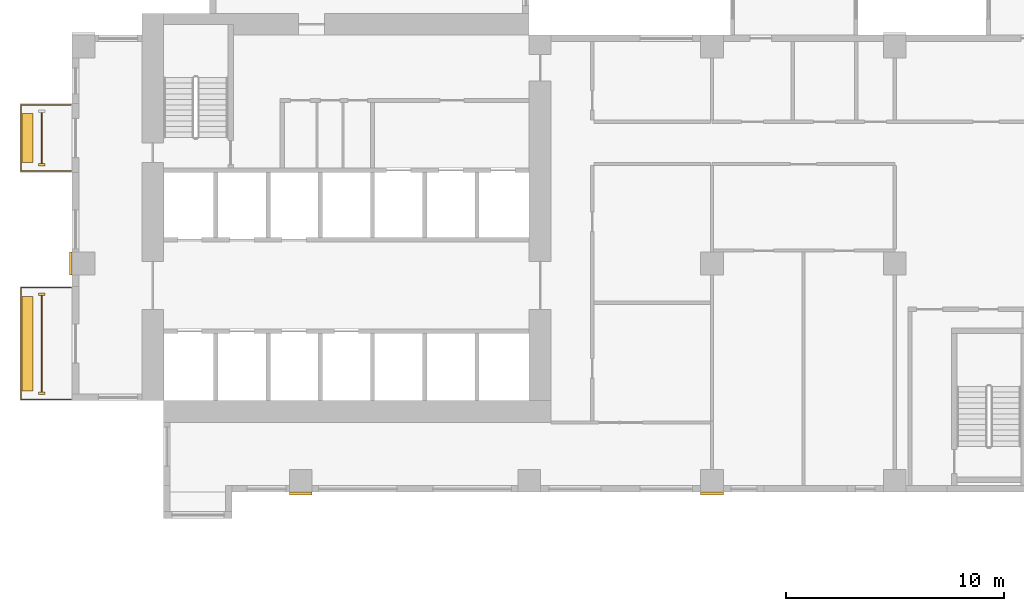
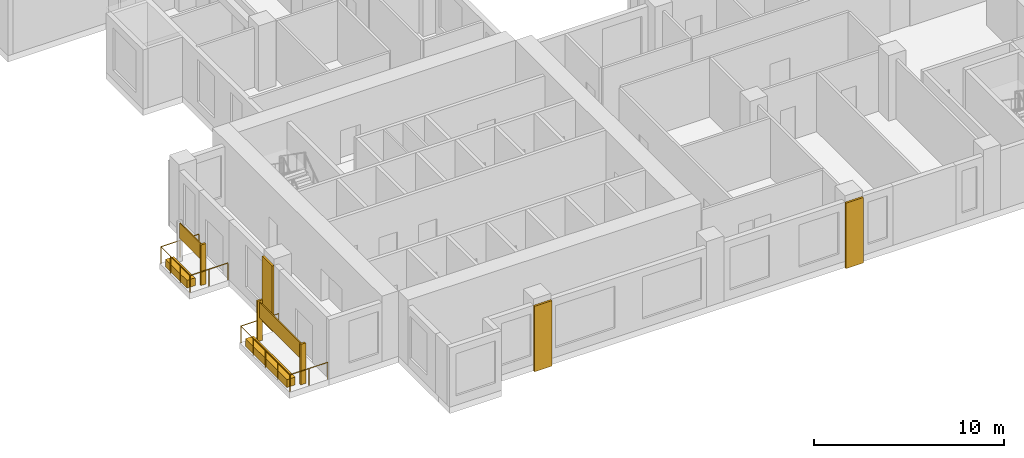
# One storey, part 10 of 14: 10 coverings, 2 railings.
"""IFC4 building model written with IfcOpenShell, lengths in metres."""

from ifc_helpers import new_model, si_unit, direction, frame, origin, origin_2d, place, context, subcontext, project, spatial, rectangle, circle, extrude, source, transform, mapped, material, type_object, element, save


model = new_model("IFC4")

# Units and contexts
model_context = context("Model", 3, precision=1e-05, world=origin(), true_north=direction((0.0, 1.0)))
body_context = subcontext(model_context, "Body", "Model", "MODEL_VIEW")
ifc_project = project(units=[si_unit("LENGTHUNIT", "METRE"), si_unit("AREAUNIT", "SQUARE_METRE"), si_unit("VOLUMEUNIT", "CUBIC_METRE"), si_unit("PLANEANGLEUNIT", "RADIAN"), si_unit("MASSUNIT", "GRAM", prefix="KILO")], contexts=[model_context])

# Site, building, storey
site_placement = place(None, origin())
site = spatial("IfcSite", under=ifc_project, at=site_placement, CompositionType="ELEMENT")
building_placement = place(site_placement, origin())
building = spatial("IfcBuilding", under=site, at=building_placement, Name="Aurelian Terraces", CompositionType="ELEMENT")
storey_placement = place(building_placement, frame((0.0, 0.0, 141.3)))
storey = spatial("IfcBuildingStorey", under=building, at=storey_placement, Name="L31", CompositionType="ELEMENT", Elevation=141.3)

# Coverings
ifc_material_1 = material(Name="Terracotta rainscreen cladding relief", Category="masonry")
covering_type_1 = type_object("IfcCoveringType", Name="FIN-TC", PredefinedType="CLADDING", material=ifc_material_1)
shared_shape_1 = source(origin(), body_context, "Body", "SweptSolid", [
    extrude(rectangle(XDim=0.3, YDim=0.12, at=origin_2d()), origin(), (0.0, 0.0, 1.0), 2.6),
])
for number, where, z_axis, x_axis, name in (
    (1, (-1.4, 15.05, 0.0), (0.0, 0.0, 1.0), (1.0, 0.0, 0.0), "FIN L31 L31-F20-37.2"),
    (2, (-1.4, 9.1, 0.0), (0.0, 0.0, 1.0), (1.0, 0.0, 0.0), "FIN L31 L31-F20-39.1"),
    (3, (-1.4, 4.55, 0.0), (0.0, 0.0, 1.0), (1.0, 0.0, 0.0), "FIN L31 L31-F20-39.2"),
):
    element("IfcCovering", number, at=place(storey_placement, frame(where, z_axis=z_axis, x_axis=x_axis)), inside=storey, type_object=covering_type_1, Name=name, PredefinedType="CLADDING", context=body_context, shape_type="MappedRepresentation", body=[
        mapped(shared_shape_1, transform((0.0, 0.0, 0.0), scale=1.0)),
    ])
ifc_material_2 = material(Name="Terracotta planter with planting soil", Category="masonry")
covering_type_2 = type_object("IfcCoveringType", Name="PLANTER-TROUGH", PredefinedType="USERDEFINED", material=ifc_material_2)
shared_shape_2 = source(origin(), body_context, "Body", "SweptSolid", [
    extrude(rectangle(XDim=0.5, YDim=2.25, at=origin_2d()), origin(), (0.0, 0.0, 1.0), 0.5),
])
covering_1_placement = place(storey_placement, frame((-2.05, 16.275, 0.0), z_axis=(0.0, 0.0, 1.0), x_axis=(1.0, 0.0, 0.0)))
element("IfcCovering", 4, at=covering_1_placement, inside=storey, type_object=covering_type_2, Name="PLANTER L31 L31-F20-37", ObjectType="PLANTER", PredefinedType="USERDEFINED", context=body_context, shape_type="MappedRepresentation", body=[
    mapped(shared_shape_2, transform((0.0, 0.0, 0.0), scale=1.0)),
])
ifc_material_3 = material(Name="Terracotta rainscreen cladding", Category="masonry")
covering_type_3 = type_object("IfcCoveringType", Name="SCREEN-TC", PredefinedType="CLADDING", material=ifc_material_3)
shared_shape_3 = source(origin(), body_context, "Body", "SweptSolid", [
    extrude(rectangle(XDim=0.06, YDim=2.33, at=origin_2d()), origin(), (0.0, 0.0, 1.0), 1.0),
])
covering_2_placement = place(storey_placement, frame((-1.4, 16.275, 1.5), z_axis=(0.0, 0.0, 1.0), x_axis=(1.0, 0.0, 0.0)))
element("IfcCovering", 5, at=covering_2_placement, inside=storey, type_object=covering_type_3, Name="SCREEN L31 L31-F20-37", PredefinedType="CLADDING", context=body_context, shape_type="MappedRepresentation", body=[
    mapped(shared_shape_3, transform((0.0, 0.0, 0.0), scale=1.0)),
])

# Railing
ifc_material_4 = material(Name="Anodised aluminium", Category="aluminium")
railing_type = type_object("IfcRailingType", Name="GUARD-1100", PredefinedType="GUARDRAIL", material=ifc_material_4)
shared_shape_4 = source(origin(), body_context, "Body", "SweptSolid", [
    extrude(circle(Radius=0.024, at=origin_2d()), frame((0.0, 0.0, 1.076), z_axis=(-1.0, 0.0, 0.0), x_axis=(0.0, -1.0, 0.0)), (0.0, 0.0, 1.0), 2.3),
    extrude(circle(Radius=0.024, at=origin_2d()), frame((-2.3, 0.0, 1.076), z_axis=(0.0, -1.0, 0.0), x_axis=(1.0, 0.0, 0.0)), (0.0, 0.0, 1.0), 3.05),
    extrude(circle(Radius=0.024, at=origin_2d()), frame((-2.3, -3.05, 1.076), z_axis=(1.0, 0.0, 0.0), x_axis=(0.0, 1.0, 0.0)), (0.0, 0.0, 1.0), 2.3),
    extrude(circle(Radius=0.021, at=origin_2d()), origin(), (0.0, 0.0, 1.0), 1.052),
    extrude(circle(Radius=0.021, at=origin_2d()), frame((-1.15, 0.0, 0.0)), (0.0, 0.0, 1.0), 1.052),
    extrude(circle(Radius=0.021, at=origin_2d()), frame((-2.3, 0.0, 0.0)), (0.0, 0.0, 1.0), 1.052),
    extrude(circle(Radius=0.021, at=origin_2d()), frame((-2.3, -1.0167, 0.0)), (0.0, 0.0, 1.0), 1.052),
    extrude(circle(Radius=0.021, at=origin_2d()), frame((-2.3, -2.0333, 0.0)), (0.0, 0.0, 1.0), 1.052),
    extrude(circle(Radius=0.021, at=origin_2d()), frame((-2.3, -3.05, 0.0)), (0.0, 0.0, 1.0), 1.052),
    extrude(circle(Radius=0.021, at=origin_2d()), frame((-1.15, -3.05, 0.0)), (0.0, 0.0, 1.0), 1.052),
    extrude(circle(Radius=0.021, at=origin_2d()), frame((0.0, -3.05, 0.0)), (0.0, 0.0, 1.0), 1.052),
])
railing_1_placement = place(storey_placement, frame((-0.05, 17.8, 0.0)))
element("IfcRailing", 6, at=railing_1_placement, inside=storey, type_object=railing_type, Name="Balcony guard L31 F20.37", PredefinedType="GUARDRAIL", context=body_context, shape_type="MappedRepresentation", body=[
    mapped(shared_shape_4, transform((0.0, 0.0, 0.0), scale=1.0)),
])

# Coverings
covering_type_4 = type_object("IfcCoveringType", Name="BAGUETTE-TC", PredefinedType="CLADDING", material=ifc_material_1)
shared_shape_5 = source(origin(), body_context, "Body", "SweptSolid", [
    extrude(rectangle(XDim=1.05, YDim=0.12, at=origin_2d()), origin(), (0.0, 0.0, 1.0), 4.2),
])
for number, where, z_axis, x_axis, name in (
    (7, (10.5, -0.06, -0.4), (0.0, 0.0, 1.0), (1.0, 0.0, 0.0), "BAGUETTE pier L31 1"),
    (8, (29.4, -0.06, -0.4), (0.0, 0.0, 1.0), (1.0, 0.0, 0.0), "BAGUETTE pier L31 2"),
):
    element("IfcCovering", number, at=place(storey_placement, frame(where, z_axis=z_axis, x_axis=x_axis)), inside=storey, type_object=covering_type_4, Name=name, PredefinedType="CLADDING", context=body_context, shape_type="MappedRepresentation", body=[
        mapped(shared_shape_5, transform((0.0, 0.0, 0.0), scale=1.0)),
    ])
shared_shape_6 = source(origin(), body_context, "Body", "SweptSolid", [
    extrude(rectangle(XDim=0.12, YDim=1.05, at=origin_2d()), origin(), (0.0, 0.0, 1.0), 4.2),
])
covering_3_placement = place(storey_placement, frame((-0.06, 10.5, -0.4), z_axis=(0.0, 0.0, 1.0), x_axis=(1.0, 0.0, 0.0)))
element("IfcCovering", 9, at=covering_3_placement, inside=storey, type_object=covering_type_4, Name="BAGUETTE pier L31 5", PredefinedType="CLADDING", context=body_context, shape_type="MappedRepresentation", body=[
    mapped(shared_shape_6, transform((0.0, 0.0, 0.0), scale=1.0)),
])

# Railing
shared_shape_7 = source(origin(), body_context, "Body", "SweptSolid", [
    extrude(circle(Radius=0.024, at=origin_2d()), frame((0.0, 0.0, 1.076), z_axis=(-1.0, 0.0, 0.0), x_axis=(0.0, -1.0, 0.0)), (0.0, 0.0, 1.0), 2.3),
    extrude(circle(Radius=0.024, at=origin_2d()), frame((-2.3, 0.0, 1.076), z_axis=(0.0, -1.0, 0.0), x_axis=(1.0, 0.0, 0.0)), (0.0, 0.0, 1.0), 5.15),
    extrude(circle(Radius=0.024, at=origin_2d()), frame((-2.3, -5.15, 1.076), z_axis=(1.0, 0.0, 0.0), x_axis=(0.0, 1.0, 0.0)), (0.0, 0.0, 1.0), 2.3),
    extrude(circle(Radius=0.021, at=origin_2d()), origin(), (0.0, 0.0, 1.0), 1.052),
    extrude(circle(Radius=0.021, at=origin_2d()), frame((-1.15, 0.0, 0.0)), (0.0, 0.0, 1.0), 1.052),
    extrude(circle(Radius=0.021, at=origin_2d()), frame((-2.3, 0.0, 0.0)), (0.0, 0.0, 1.0), 1.052),
    extrude(circle(Radius=0.021, at=origin_2d()), frame((-2.3, -1.2875, 0.0)), (0.0, 0.0, 1.0), 1.052),
    extrude(circle(Radius=0.021, at=origin_2d()), frame((-2.3, -2.575, 0.0)), (0.0, 0.0, 1.0), 1.052),
    extrude(circle(Radius=0.021, at=origin_2d()), frame((-2.3, -3.8625, 0.0)), (0.0, 0.0, 1.0), 1.052),
    extrude(circle(Radius=0.021, at=origin_2d()), frame((-2.3, -5.15, 0.0)), (0.0, 0.0, 1.0), 1.052),
    extrude(circle(Radius=0.021, at=origin_2d()), frame((-1.15, -5.15, 0.0)), (0.0, 0.0, 1.0), 1.052),
    extrude(circle(Radius=0.021, at=origin_2d()), frame((0.0, -5.15, 0.0)), (0.0, 0.0, 1.0), 1.052),
])
railing_2_placement = place(storey_placement, frame((-0.05, 9.4, 0.0)))
element("IfcRailing", 10, at=railing_2_placement, inside=storey, type_object=railing_type, Name="Balcony guard L31 F20.39", PredefinedType="GUARDRAIL", context=body_context, shape_type="MappedRepresentation", body=[
    mapped(shared_shape_7, transform((0.0, 0.0, 0.0), scale=1.0)),
])

# Coverings
shared_shape_8 = source(origin(), body_context, "Body", "SweptSolid", [
    extrude(rectangle(XDim=0.5, YDim=4.35, at=origin_2d()), origin(), (0.0, 0.0, 1.0), 0.5),
])
covering_4_placement = place(storey_placement, frame((-2.05, 6.825, 0.0), z_axis=(0.0, 0.0, 1.0), x_axis=(1.0, 0.0, 0.0)))
element("IfcCovering", 11, at=covering_4_placement, inside=storey, type_object=covering_type_2, Name="PLANTER L31 L31-F20-39", ObjectType="PLANTER", PredefinedType="USERDEFINED", context=body_context, shape_type="MappedRepresentation", body=[
    mapped(shared_shape_8, transform((0.0, 0.0, 0.0), scale=1.0)),
])
shared_shape_9 = source(origin(), body_context, "Body", "SweptSolid", [
    extrude(rectangle(XDim=0.06, YDim=4.43, at=origin_2d()), origin(), (0.0, 0.0, 1.0), 1.0),
])
covering_5_placement = place(storey_placement, frame((-1.4, 6.825, 1.5), z_axis=(0.0, 0.0, 1.0), x_axis=(1.0, 0.0, 0.0)))
element("IfcCovering", 12, at=covering_5_placement, inside=storey, type_object=covering_type_3, Name="SCREEN L31 L31-F20-39", PredefinedType="CLADDING", context=body_context, shape_type="MappedRepresentation", body=[
    mapped(shared_shape_9, transform((0.0, 0.0, 0.0), scale=1.0)),
])

save(model, "model.ifc")
